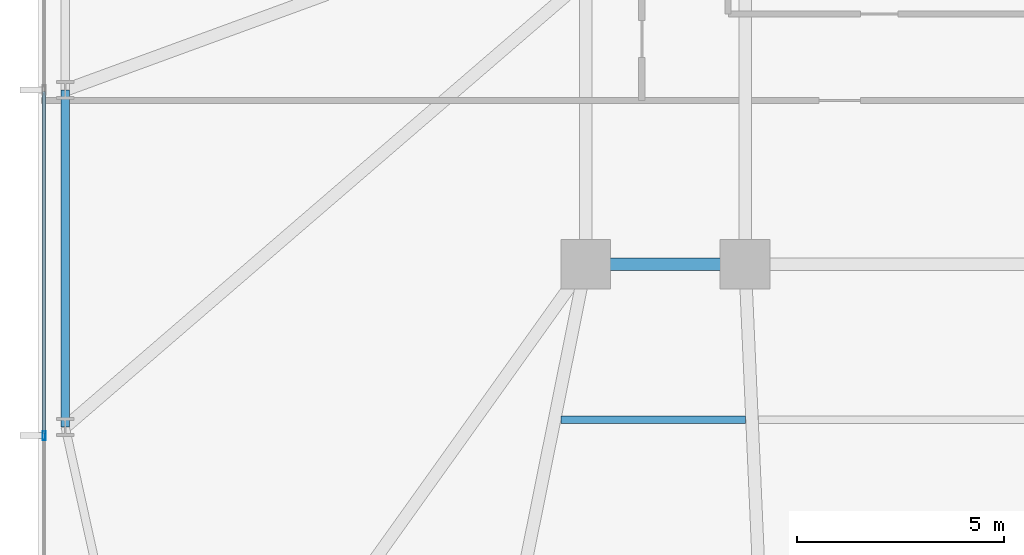
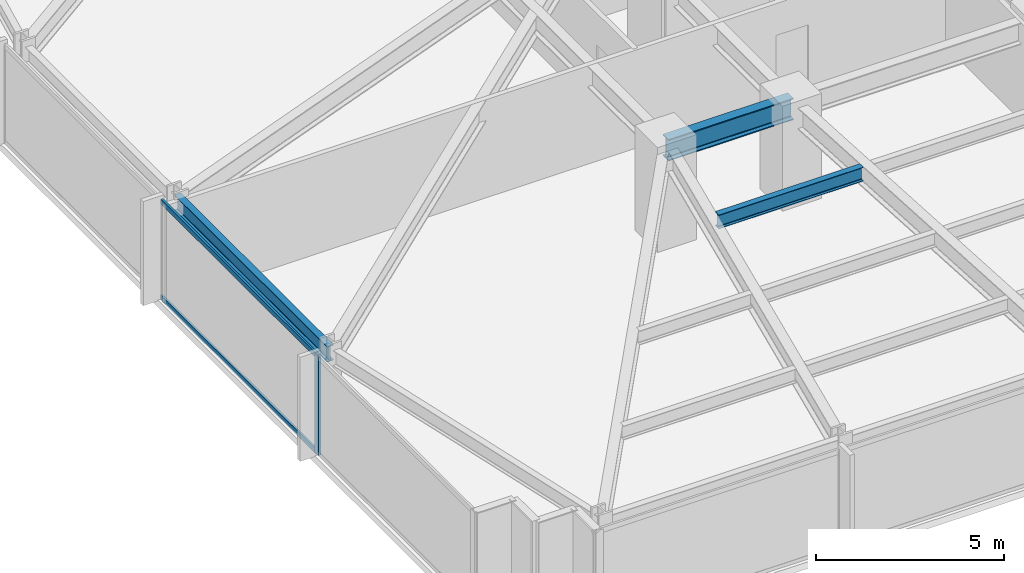
# One storey, part 4 of 33: 3 beams, 3 members, 1 element without a shape of its own.
"""IFC4 building model written with IfcOpenShell, lengths in metres."""

from ifc_helpers import new_model, si_unit, direction, frame, origin, origin_2d, place, context, subcontext, project, spatial, hollow_rectangle, i_section, extrude, material, material_profile, profile_set, type_object, element, aggregate, save


model = new_model("IFC4")

# Units and contexts
model_context = context("Model", 3, precision=1e-05, world=origin(), true_north=direction((0.0, 1.0)))
body_context = subcontext(model_context, "Body", "Model", "MODEL_VIEW")
ifc_project = project(units=[si_unit("LENGTHUNIT", "METRE"), si_unit("AREAUNIT", "SQUARE_METRE"), si_unit("VOLUMEUNIT", "CUBIC_METRE"), si_unit("PLANEANGLEUNIT", "RADIAN"), si_unit("MASSUNIT", "GRAM", prefix="KILO")], contexts=[model_context])

# Site, building, storey
site_placement = place(None, origin())
site = spatial("IfcSite", under=ifc_project, at=site_placement, CompositionType="ELEMENT")
building_placement = place(site_placement, origin())
building = spatial("IfcBuilding", under=site, at=building_placement, Name="Yelkora Congress Tower", CompositionType="ELEMENT")
storey_placement = place(building_placement, frame((0.0, 0.0, 64.39990234375)))
storey = spatial("IfcBuildingStorey", under=building, at=storey_placement, Name="L16", CompositionType="ELEMENT", Elevation=64.39990234375)

# Beams
ifc_material_1 = material(Name="Steel S355J2", Category="steel")
ifc_material_profile_1 = material_profile(ifc_material_1, i_section(OverallWidth=0.300048828125, OverallDepth=0.699951171875, WebThickness=0.01708984375, FlangeThickness=0.031982421875, FilletRadius=0.027099609375, at=origin_2d()), Name="HEB 700")
ifc_profile_set_1 = profile_set([ifc_material_profile_1], Name="Steel S355J2")
beam_type_1 = type_object("IfcBeamType", Name="BM-GIRD-HEB700", PredefinedType="BEAM", material=ifc_profile_set_1)
beam_1_placement = place(storey_placement, frame((19.199951171875, 25.199951171875, 2.830078125), z_axis=(1.0, 0.0, 0.0), x_axis=(0.0, 1.0, 0.0)))
element("IfcBeam", 1, at=beam_1_placement, inside=storey, type_object=beam_type_1, Name="L16 Spine Grid D Girder 1", PredefinedType="BEAM", context=body_context, shape_type="SweptSolid", body=[
    extrude(i_section(OverallWidth=0.300048828125, OverallDepth=0.699951171875, WebThickness=0.01708984375, FlangeThickness=0.031982421875, FilletRadius=0.027099609375, at=origin_2d()), origin(), (0.0, 0.0, 1.0), 3.840087890625),
])
ifc_material_profile_2 = material_profile(ifc_material_1, i_section(OverallWidth=0.18994140625, OverallDepth=0.449951171875, WebThickness=0.009521484375, FlangeThickness=0.0146484375, FilletRadius=0.02099609375, at=origin_2d()), Name="IPE 450")
ifc_profile_set_2 = profile_set([ifc_material_profile_2], Name="Steel S355J2")
beam_type_2 = type_object("IfcBeamType", Name="BM-JOIST-IPE450", PredefinedType="JOIST", material=ifc_profile_set_2)
beam_2_placement = place(storey_placement, frame((18.60546875, 21.449951171875, 2.955078125), z_axis=(1.0, 0.0, 0.0), x_axis=(0.0, 1.0, 0.0)))
element("IfcBeam", 2, at=beam_2_placement, inside=storey, type_object=beam_type_2, Name="L16 Composite Floor Joist 17", PredefinedType="JOIST", context=body_context, shape_type="SweptSolid", body=[
    extrude(i_section(OverallWidth=0.18994140625, OverallDepth=0.449951171875, WebThickness=0.009521484375, FlangeThickness=0.0146484375, FilletRadius=0.02099609375, at=origin_2d()), origin(), (0.0, 0.0, 1.0), 4.4404296875),
])
ifc_material_profile_3 = material_profile(ifc_material_1, i_section(OverallWidth=0.199951171875, OverallDepth=0.5, WebThickness=0.01025390625, FlangeThickness=0.01611328125, FilletRadius=0.02099609375, at=origin_2d()), Name="IPE 500")
ifc_profile_set_3 = profile_set([ifc_material_profile_3], Name="Steel S355J2")
beam_type_3 = type_object("IfcBeamType", Name="BM-SPAN-IPE500", PredefinedType="SPANDREL", material=ifc_profile_set_3)
beam_3_placement = place(storey_placement, frame((6.64990234375, 29.39990234375, 2.93017578125), z_axis=(0.0, -1.0, 0.0), x_axis=(1.0, 0.0, 0.0)))
element("IfcBeam", 3, at=beam_3_placement, inside=storey, type_object=beam_type_3, Name="L16 Perimeter Beam 19", PredefinedType="SPANDREL", context=body_context, shape_type="SweptSolid", body=[
    extrude(i_section(OverallWidth=0.199951171875, OverallDepth=0.5, WebThickness=0.01025390625, FlangeThickness=0.01611328125, FilletRadius=0.02099609375, at=origin_2d()), origin(), (0.0, 0.0, 1.0), 8.125),
])

# Curtain wall, members
ifc_material_2 = material(Name="Anodised aluminium and insulated glass", Category="aluminium")
curtain_wall_type = type_object("IfcCurtainWallType", Name="CW-SYS-B1", PredefinedType="NOTDEFINED", material=ifc_material_2)
curtain_wall_placement = place(storey_placement, origin())
curtain_wall = element("IfcCurtainWall", 4, at=curtain_wall_placement, inside=storey, type_object=curtain_wall_type, Name="L16 Unitised Curtain Wall 5", PredefinedType="NOTDEFINED")
ifc_material_3 = material(Name="Anodised aluminium 6063-T6", Category="aluminium")
ifc_material_profile_4 = material_profile(ifc_material_3, hollow_rectangle(XDim=0.074951171875, YDim=0.219970703125, WallThickness=0.0048828125, at=origin_2d()), Name="ALU 75x220x5")
ifc_profile_set_4 = profile_set([ifc_material_profile_4], Name="Anodised aluminium 6063-T6")
member_type_1 = type_object("IfcMemberType", Name="MEM-ML-B1", PredefinedType="MULLION", material=ifc_profile_set_4)
member_1_placement = place(storey_placement, frame((6.139892578125, 21.070068359375, 0.0), z_axis=(0.0, 0.0, 1.0), x_axis=(-1.0, 0.0, 0.0)))
member_1 = element("IfcMember", 5, at=member_1_placement, type_object=member_type_1, Name="CW-B1 mullion 2", PredefinedType="MULLION", context=body_context, shape_type="SweptSolid", body=[
    extrude(hollow_rectangle(XDim=0.074951171875, YDim=0.219970703125, WallThickness=0.0048828125, at=origin_2d()), origin(), (0.0, 0.0, 1.0), 3.18017578125),
])
ifc_material_profile_5 = material_profile(ifc_material_3, hollow_rectangle(XDim=0.06494140625, YDim=0.159912109375, WallThickness=0.00390625, at=origin_2d()), Name="ALU 65x160x4")
ifc_profile_set_5 = profile_set([ifc_material_profile_5], Name="Anodised aluminium 6063-T6")
member_type_2 = type_object("IfcMemberType", Name="MEM-TR-B1", PredefinedType="USERDEFINED", material=ifc_profile_set_5)
member_2_placement = place(storey_placement, frame((6.139892578125, 21.107421875, 0.03271484375), z_axis=(0.0, 1.0, 0.0), x_axis=(-1.0, 0.0, 0.0)))
member_2 = element("IfcMember", 6, at=member_2_placement, type_object=member_type_2, Name="CW-B1 transom 2.1", ObjectType="TRANSOM", PredefinedType="USERDEFINED", context=body_context, shape_type="SweptSolid", body=[
    extrude(hollow_rectangle(XDim=0.06494140625, YDim=0.159912109375, WallThickness=0.00390625, at=origin_2d()), origin(), (0.0, 0.0, 1.0), 8.255126953125),
])
member_3_placement = place(storey_placement, frame((6.139892578125, 21.107421875, 3.147705078125), z_axis=(0.0, 1.0, 0.0), x_axis=(-1.0, 0.0, 0.0)))
member_3 = element("IfcMember", 7, at=member_3_placement, type_object=member_type_2, Name="CW-B1 transom 2.2", ObjectType="TRANSOM", PredefinedType="USERDEFINED", context=body_context, shape_type="SweptSolid", body=[
    extrude(hollow_rectangle(XDim=0.06494140625, YDim=0.159912109375, WallThickness=0.00390625, at=origin_2d()), origin(), (0.0, 0.0, 1.0), 8.255126953125),
])
aggregate(curtain_wall, [member_1, member_2, member_3])

save(model, "model.ifc")
